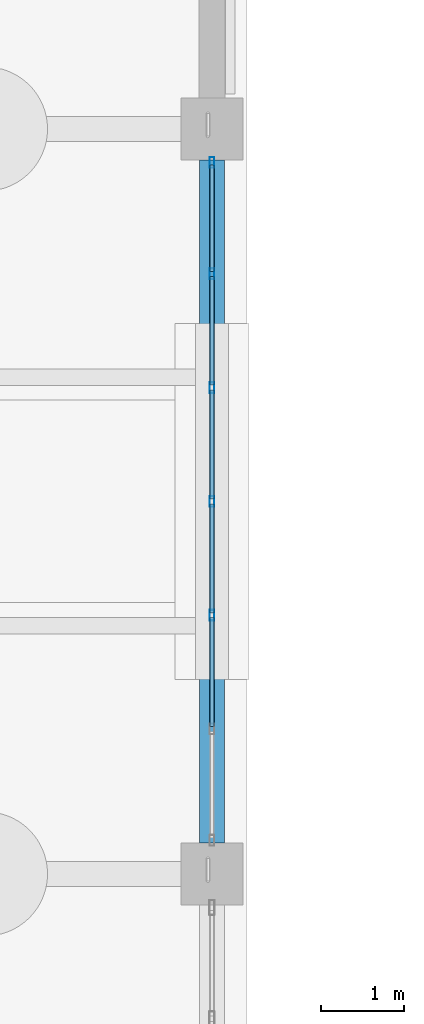
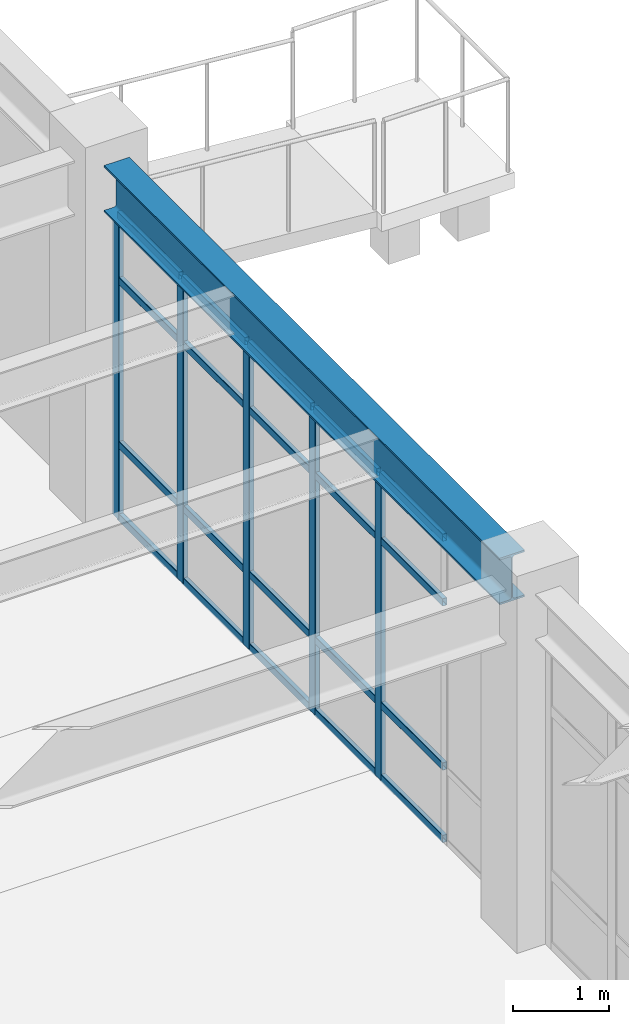
# One storey, part 56 of 139: 25 members, 1 beam, 1 element without a shape of its own.
"""IFC4 building model written with IfcOpenShell, lengths in metres."""

from ifc_helpers import new_model, si_unit, direction, frame, origin, origin_2d, place, context, subcontext, project, spatial, hollow_rectangle, i_section, extrude, material, material_profile, profile_set, type_object, element, aggregate, save


model = new_model("IFC4")

# Units and contexts
model_context = context("Model", 3, precision=1e-05, world=origin(), true_north=direction((0.0, 1.0)))
body_context = subcontext(model_context, "Body", "Model", "MODEL_VIEW")
ifc_project = project(units=[si_unit("LENGTHUNIT", "METRE"), si_unit("AREAUNIT", "SQUARE_METRE"), si_unit("VOLUMEUNIT", "CUBIC_METRE"), si_unit("PLANEANGLEUNIT", "RADIAN"), si_unit("MASSUNIT", "GRAM", prefix="KILO")], contexts=[model_context])

# Site, building, storey
site_placement = place(None, origin())
site = spatial("IfcSite", under=ifc_project, at=site_placement, CompositionType="ELEMENT")
building_placement = place(site_placement, origin())
building = spatial("IfcBuilding", under=site, at=building_placement, Name="Canglan Escarpment Cableway Terminal", CompositionType="ELEMENT")
storey_placement = place(building_placement, frame((0.0, 0.0, 14.39990234375)))
storey = spatial("IfcBuildingStorey", under=building, at=storey_placement, Name="L03", CompositionType="ELEMENT", Elevation=14.39990234375)

# Beam
ifc_material_1 = material(Name="Steel Q355C", Category="steel")
ifc_material_profile_1 = material_profile(ifc_material_1, i_section(OverallWidth=0.302001953125, OverallDepth=0.593994140625, WebThickness=0.013916015625, FlangeThickness=0.02294921875, FilletRadius=0.028076171875, at=origin_2d()), Name="HM 594x302x14x23")
ifc_profile_set_1 = profile_set([ifc_material_profile_1], Name="Steel Q355C")
beam_type = type_object("IfcBeamType", Name="BM-HM594", PredefinedType="BEAM", material=ifc_profile_set_1)
beam_placement = place(storey_placement, frame((166.39990234375, 61.375, 4.203125), z_axis=(0.0, 1.0, 0.0), x_axis=(-1.0, 0.0, 0.0)))
element("IfcBeam", 1, at=beam_placement, inside=storey, type_object=beam_type, Name="Primary transverse girder B-07", PredefinedType="BEAM", context=body_context, shape_type="SweptSolid", body=[
    extrude(i_section(OverallWidth=0.302001953125, OverallDepth=0.593994140625, WebThickness=0.013916015625, FlangeThickness=0.02294921875, FilletRadius=0.028076171875, at=origin_2d()), origin(), (0.0, 0.0, 1.0), 8.25),
])

# Curtain wall, members
ifc_material_2 = material(Name="Anodized bronze aluminium and Low-E double glazing", Category="aluminium")
curtain_wall_type = type_object("IfcCurtainWallType", Name="CW-BAY-8250x3900", PredefinedType="NOTDEFINED", material=ifc_material_2)
curtain_wall_placement = place(storey_placement, origin())
curtain_wall = element("IfcCurtainWall", 2, at=curtain_wall_placement, inside=storey, type_object=curtain_wall_type, Name="Classical bay-between-piers glazed curtain wall CW-62", PredefinedType="NOTDEFINED")
ifc_material_3 = material(Name="Thermally broken anodized aluminium 6063-T6", Category="aluminium")
ifc_material_profile_2 = material_profile(ifc_material_3, hollow_rectangle(XDim=0.06005859375, YDim=0.1298828125, WallThickness=0.0029296875, InnerFilletRadius=0.0029296875, OuterFilletRadius=0.006103515625, at=origin_2d()), Name="ALU-MULL 60x130x3")
ifc_profile_set_2 = profile_set([ifc_material_profile_2], Name="Thermally broken anodized aluminium 6063-T6")
member_type_1 = type_object("IfcMemberType", Name="CWM-01", PredefinedType="MULLION", material=ifc_profile_set_2)
member_1_placement = place(storey_placement, frame((166.39990234375, 64.125, 0.0), z_axis=(0.0, 0.0, 1.0), x_axis=(-1.0, 0.0, 0.0)))
member_1 = element("IfcMember", 3, at=member_1_placement, type_object=member_type_1, Name="CW-62 mullion 3", PredefinedType="MULLION", context=body_context, shape_type="SweptSolid", body=[
    extrude(hollow_rectangle(XDim=0.06005859375, YDim=0.1298828125, WallThickness=0.0029296875, InnerFilletRadius=0.0029296875, OuterFilletRadius=0.006103515625, at=origin_2d()), origin(), (0.0, 0.0, 1.0), 3.89111328125),
])
member_2_placement = place(storey_placement, frame((166.39990234375, 65.5, 0.0), z_axis=(0.0, 0.0, 1.0), x_axis=(-1.0, 0.0, 0.0)))
member_2 = element("IfcMember", 4, at=member_2_placement, type_object=member_type_1, Name="CW-62 mullion 4", PredefinedType="MULLION", context=body_context, shape_type="SweptSolid", body=[
    extrude(hollow_rectangle(XDim=0.06005859375, YDim=0.1298828125, WallThickness=0.0029296875, InnerFilletRadius=0.0029296875, OuterFilletRadius=0.006103515625, at=origin_2d()), origin(), (0.0, 0.0, 1.0), 3.89111328125),
])
member_3_placement = place(storey_placement, frame((166.39990234375, 66.875, 0.0), z_axis=(0.0, 0.0, 1.0), x_axis=(-1.0, 0.0, 0.0)))
member_3 = element("IfcMember", 5, at=member_3_placement, type_object=member_type_1, Name="CW-62 mullion 5", PredefinedType="MULLION", context=body_context, shape_type="SweptSolid", body=[
    extrude(hollow_rectangle(XDim=0.06005859375, YDim=0.1298828125, WallThickness=0.0029296875, InnerFilletRadius=0.0029296875, OuterFilletRadius=0.006103515625, at=origin_2d()), origin(), (0.0, 0.0, 1.0), 3.89111328125),
])
member_4_placement = place(storey_placement, frame((166.39990234375, 68.25, 0.0), z_axis=(0.0, 0.0, 1.0), x_axis=(-1.0, 0.0, 0.0)))
member_4 = element("IfcMember", 6, at=member_4_placement, type_object=member_type_1, Name="CW-62 mullion 6", PredefinedType="MULLION", context=body_context, shape_type="SweptSolid", body=[
    extrude(hollow_rectangle(XDim=0.06005859375, YDim=0.1298828125, WallThickness=0.0029296875, InnerFilletRadius=0.0029296875, OuterFilletRadius=0.006103515625, at=origin_2d()), origin(), (0.0, 0.0, 1.0), 3.89111328125),
])
member_5_placement = place(storey_placement, frame((166.39990234375, 69.594970703125, 0.0), z_axis=(0.0, 0.0, 1.0), x_axis=(-1.0, 0.0, 0.0)))
member_5 = element("IfcMember", 7, at=member_5_placement, type_object=member_type_1, Name="CW-62 mullion 7", PredefinedType="MULLION", context=body_context, shape_type="SweptSolid", body=[
    extrude(hollow_rectangle(XDim=0.06005859375, YDim=0.1298828125, WallThickness=0.0029296875, InnerFilletRadius=0.0029296875, OuterFilletRadius=0.006103515625, at=origin_2d()), origin(), (0.0, 0.0, 1.0), 3.89111328125),
])
ifc_material_profile_3 = material_profile(ifc_material_3, hollow_rectangle(XDim=0.054931640625, YDim=0.094970703125, WallThickness=0.0029296875, InnerFilletRadius=0.0029296875, OuterFilletRadius=0.006103515625, at=origin_2d()), Name="ALU-TRAN 55x95x3")
ifc_profile_set_3 = profile_set([ifc_material_profile_3], Name="Thermally broken anodized aluminium 6063-T6")
member_type_2 = type_object("IfcMemberType", Name="CWT-01", PredefinedType="USERDEFINED", material=ifc_profile_set_3)
member_6_placement = place(storey_placement, frame((166.39990234375, 62.780029296875, 0.027587890625), z_axis=(0.0, 1.0, 0.0), x_axis=(-1.0, 0.0, 0.0)))
member_6 = element("IfcMember", 8, at=member_6_placement, type_object=member_type_2, Name="CW-62 transom 2.1", ObjectType="TRANSOM", PredefinedType="USERDEFINED", context=body_context, shape_type="SweptSolid", body=[
    extrude(hollow_rectangle(XDim=0.054931640625, YDim=0.094970703125, WallThickness=0.0029296875, InnerFilletRadius=0.0029296875, OuterFilletRadius=0.006103515625, at=origin_2d()), origin(), (0.0, 0.0, 1.0), 1.31494140625),
])
member_7_placement = place(storey_placement, frame((166.39990234375, 62.780029296875, 0.9501953125), z_axis=(0.0, 1.0, 0.0), x_axis=(-1.0, 0.0, 0.0)))
member_7 = element("IfcMember", 9, at=member_7_placement, type_object=member_type_2, Name="CW-62 transom 2.2", ObjectType="TRANSOM", PredefinedType="USERDEFINED", context=body_context, shape_type="SweptSolid", body=[
    extrude(hollow_rectangle(XDim=0.054931640625, YDim=0.094970703125, WallThickness=0.0029296875, InnerFilletRadius=0.0029296875, OuterFilletRadius=0.006103515625, at=origin_2d()), origin(), (0.0, 0.0, 1.0), 1.31494140625),
])
member_8_placement = place(storey_placement, frame((166.39990234375, 62.780029296875, 3.041015625), z_axis=(0.0, 1.0, 0.0), x_axis=(-1.0, 0.0, 0.0)))
member_8 = element("IfcMember", 10, at=member_8_placement, type_object=member_type_2, Name="CW-62 transom 2.3", ObjectType="TRANSOM", PredefinedType="USERDEFINED", context=body_context, shape_type="SweptSolid", body=[
    extrude(hollow_rectangle(XDim=0.054931640625, YDim=0.094970703125, WallThickness=0.0029296875, InnerFilletRadius=0.0029296875, OuterFilletRadius=0.006103515625, at=origin_2d()), origin(), (0.0, 0.0, 1.0), 1.31494140625),
])
member_9_placement = place(storey_placement, frame((166.39990234375, 62.780029296875, 3.863525390625), z_axis=(0.0, 1.0, 0.0), x_axis=(-1.0, 0.0, 0.0)))
member_9 = element("IfcMember", 11, at=member_9_placement, type_object=member_type_2, Name="CW-62 transom 2.4", ObjectType="TRANSOM", PredefinedType="USERDEFINED", context=body_context, shape_type="SweptSolid", body=[
    extrude(hollow_rectangle(XDim=0.054931640625, YDim=0.094970703125, WallThickness=0.0029296875, InnerFilletRadius=0.0029296875, OuterFilletRadius=0.006103515625, at=origin_2d()), origin(), (0.0, 0.0, 1.0), 1.31494140625),
])
member_10_placement = place(storey_placement, frame((166.39990234375, 64.155029296875, 0.027587890625), z_axis=(0.0, 1.0, 0.0), x_axis=(-1.0, 0.0, 0.0)))
member_10 = element("IfcMember", 12, at=member_10_placement, type_object=member_type_2, Name="CW-62 transom 3.1", ObjectType="TRANSOM", PredefinedType="USERDEFINED", context=body_context, shape_type="SweptSolid", body=[
    extrude(hollow_rectangle(XDim=0.054931640625, YDim=0.094970703125, WallThickness=0.0029296875, InnerFilletRadius=0.0029296875, OuterFilletRadius=0.006103515625, at=origin_2d()), origin(), (0.0, 0.0, 1.0), 1.31494140625),
])
member_11_placement = place(storey_placement, frame((166.39990234375, 64.155029296875, 0.9501953125), z_axis=(0.0, 1.0, 0.0), x_axis=(-1.0, 0.0, 0.0)))
member_11 = element("IfcMember", 13, at=member_11_placement, type_object=member_type_2, Name="CW-62 transom 3.2", ObjectType="TRANSOM", PredefinedType="USERDEFINED", context=body_context, shape_type="SweptSolid", body=[
    extrude(hollow_rectangle(XDim=0.054931640625, YDim=0.094970703125, WallThickness=0.0029296875, InnerFilletRadius=0.0029296875, OuterFilletRadius=0.006103515625, at=origin_2d()), origin(), (0.0, 0.0, 1.0), 1.31494140625),
])
member_12_placement = place(storey_placement, frame((166.39990234375, 64.155029296875, 3.041015625), z_axis=(0.0, 1.0, 0.0), x_axis=(-1.0, 0.0, 0.0)))
member_12 = element("IfcMember", 14, at=member_12_placement, type_object=member_type_2, Name="CW-62 transom 3.3", ObjectType="TRANSOM", PredefinedType="USERDEFINED", context=body_context, shape_type="SweptSolid", body=[
    extrude(hollow_rectangle(XDim=0.054931640625, YDim=0.094970703125, WallThickness=0.0029296875, InnerFilletRadius=0.0029296875, OuterFilletRadius=0.006103515625, at=origin_2d()), origin(), (0.0, 0.0, 1.0), 1.31494140625),
])
member_13_placement = place(storey_placement, frame((166.39990234375, 64.155029296875, 3.863525390625), z_axis=(0.0, 1.0, 0.0), x_axis=(-1.0, 0.0, 0.0)))
member_13 = element("IfcMember", 15, at=member_13_placement, type_object=member_type_2, Name="CW-62 transom 3.4", ObjectType="TRANSOM", PredefinedType="USERDEFINED", context=body_context, shape_type="SweptSolid", body=[
    extrude(hollow_rectangle(XDim=0.054931640625, YDim=0.094970703125, WallThickness=0.0029296875, InnerFilletRadius=0.0029296875, OuterFilletRadius=0.006103515625, at=origin_2d()), origin(), (0.0, 0.0, 1.0), 1.31494140625),
])
member_14_placement = place(storey_placement, frame((166.39990234375, 65.530029296875, 0.027587890625), z_axis=(0.0, 1.0, 0.0), x_axis=(-1.0, 0.0, 0.0)))
member_14 = element("IfcMember", 16, at=member_14_placement, type_object=member_type_2, Name="CW-62 transom 4.1", ObjectType="TRANSOM", PredefinedType="USERDEFINED", context=body_context, shape_type="SweptSolid", body=[
    extrude(hollow_rectangle(XDim=0.054931640625, YDim=0.094970703125, WallThickness=0.0029296875, InnerFilletRadius=0.0029296875, OuterFilletRadius=0.006103515625, at=origin_2d()), origin(), (0.0, 0.0, 1.0), 1.31494140625),
])
member_15_placement = place(storey_placement, frame((166.39990234375, 65.530029296875, 0.9501953125), z_axis=(0.0, 1.0, 0.0), x_axis=(-1.0, 0.0, 0.0)))
member_15 = element("IfcMember", 17, at=member_15_placement, type_object=member_type_2, Name="CW-62 transom 4.2", ObjectType="TRANSOM", PredefinedType="USERDEFINED", context=body_context, shape_type="SweptSolid", body=[
    extrude(hollow_rectangle(XDim=0.054931640625, YDim=0.094970703125, WallThickness=0.0029296875, InnerFilletRadius=0.0029296875, OuterFilletRadius=0.006103515625, at=origin_2d()), origin(), (0.0, 0.0, 1.0), 1.31494140625),
])
member_16_placement = place(storey_placement, frame((166.39990234375, 65.530029296875, 3.041015625), z_axis=(0.0, 1.0, 0.0), x_axis=(-1.0, 0.0, 0.0)))
member_16 = element("IfcMember", 18, at=member_16_placement, type_object=member_type_2, Name="CW-62 transom 4.3", ObjectType="TRANSOM", PredefinedType="USERDEFINED", context=body_context, shape_type="SweptSolid", body=[
    extrude(hollow_rectangle(XDim=0.054931640625, YDim=0.094970703125, WallThickness=0.0029296875, InnerFilletRadius=0.0029296875, OuterFilletRadius=0.006103515625, at=origin_2d()), origin(), (0.0, 0.0, 1.0), 1.31494140625),
])
member_17_placement = place(storey_placement, frame((166.39990234375, 65.530029296875, 3.863525390625), z_axis=(0.0, 1.0, 0.0), x_axis=(-1.0, 0.0, 0.0)))
member_17 = element("IfcMember", 19, at=member_17_placement, type_object=member_type_2, Name="CW-62 transom 4.4", ObjectType="TRANSOM", PredefinedType="USERDEFINED", context=body_context, shape_type="SweptSolid", body=[
    extrude(hollow_rectangle(XDim=0.054931640625, YDim=0.094970703125, WallThickness=0.0029296875, InnerFilletRadius=0.0029296875, OuterFilletRadius=0.006103515625, at=origin_2d()), origin(), (0.0, 0.0, 1.0), 1.31494140625),
])
member_18_placement = place(storey_placement, frame((166.39990234375, 66.905029296875, 0.027587890625), z_axis=(0.0, 1.0, 0.0), x_axis=(-1.0, 0.0, 0.0)))
member_18 = element("IfcMember", 20, at=member_18_placement, type_object=member_type_2, Name="CW-62 transom 5.1", ObjectType="TRANSOM", PredefinedType="USERDEFINED", context=body_context, shape_type="SweptSolid", body=[
    extrude(hollow_rectangle(XDim=0.054931640625, YDim=0.094970703125, WallThickness=0.0029296875, InnerFilletRadius=0.0029296875, OuterFilletRadius=0.006103515625, at=origin_2d()), origin(), (0.0, 0.0, 1.0), 1.31494140625),
])
member_19_placement = place(storey_placement, frame((166.39990234375, 66.905029296875, 0.9501953125), z_axis=(0.0, 1.0, 0.0), x_axis=(-1.0, 0.0, 0.0)))
member_19 = element("IfcMember", 21, at=member_19_placement, type_object=member_type_2, Name="CW-62 transom 5.2", ObjectType="TRANSOM", PredefinedType="USERDEFINED", context=body_context, shape_type="SweptSolid", body=[
    extrude(hollow_rectangle(XDim=0.054931640625, YDim=0.094970703125, WallThickness=0.0029296875, InnerFilletRadius=0.0029296875, OuterFilletRadius=0.006103515625, at=origin_2d()), origin(), (0.0, 0.0, 1.0), 1.31494140625),
])
member_20_placement = place(storey_placement, frame((166.39990234375, 66.905029296875, 3.041015625), z_axis=(0.0, 1.0, 0.0), x_axis=(-1.0, 0.0, 0.0)))
member_20 = element("IfcMember", 22, at=member_20_placement, type_object=member_type_2, Name="CW-62 transom 5.3", ObjectType="TRANSOM", PredefinedType="USERDEFINED", context=body_context, shape_type="SweptSolid", body=[
    extrude(hollow_rectangle(XDim=0.054931640625, YDim=0.094970703125, WallThickness=0.0029296875, InnerFilletRadius=0.0029296875, OuterFilletRadius=0.006103515625, at=origin_2d()), origin(), (0.0, 0.0, 1.0), 1.31494140625),
])
member_21_placement = place(storey_placement, frame((166.39990234375, 66.905029296875, 3.863525390625), z_axis=(0.0, 1.0, 0.0), x_axis=(-1.0, 0.0, 0.0)))
member_21 = element("IfcMember", 23, at=member_21_placement, type_object=member_type_2, Name="CW-62 transom 5.4", ObjectType="TRANSOM", PredefinedType="USERDEFINED", context=body_context, shape_type="SweptSolid", body=[
    extrude(hollow_rectangle(XDim=0.054931640625, YDim=0.094970703125, WallThickness=0.0029296875, InnerFilletRadius=0.0029296875, OuterFilletRadius=0.006103515625, at=origin_2d()), origin(), (0.0, 0.0, 1.0), 1.31494140625),
])
member_22_placement = place(storey_placement, frame((166.39990234375, 68.280029296875, 0.027587890625), z_axis=(0.0, 1.0, 0.0), x_axis=(-1.0, 0.0, 0.0)))
member_22 = element("IfcMember", 24, at=member_22_placement, type_object=member_type_2, Name="CW-62 transom 6.1", ObjectType="TRANSOM", PredefinedType="USERDEFINED", context=body_context, shape_type="SweptSolid", body=[
    extrude(hollow_rectangle(XDim=0.054931640625, YDim=0.094970703125, WallThickness=0.0029296875, InnerFilletRadius=0.0029296875, OuterFilletRadius=0.006103515625, at=origin_2d()), origin(), (0.0, 0.0, 1.0), 1.284912109375),
])
member_23_placement = place(storey_placement, frame((166.39990234375, 68.280029296875, 0.9501953125), z_axis=(0.0, 1.0, 0.0), x_axis=(-1.0, 0.0, 0.0)))
member_23 = element("IfcMember", 25, at=member_23_placement, type_object=member_type_2, Name="CW-62 transom 6.2", ObjectType="TRANSOM", PredefinedType="USERDEFINED", context=body_context, shape_type="SweptSolid", body=[
    extrude(hollow_rectangle(XDim=0.054931640625, YDim=0.094970703125, WallThickness=0.0029296875, InnerFilletRadius=0.0029296875, OuterFilletRadius=0.006103515625, at=origin_2d()), origin(), (0.0, 0.0, 1.0), 1.284912109375),
])
member_24_placement = place(storey_placement, frame((166.39990234375, 68.280029296875, 3.041015625), z_axis=(0.0, 1.0, 0.0), x_axis=(-1.0, 0.0, 0.0)))
member_24 = element("IfcMember", 26, at=member_24_placement, type_object=member_type_2, Name="CW-62 transom 6.3", ObjectType="TRANSOM", PredefinedType="USERDEFINED", context=body_context, shape_type="SweptSolid", body=[
    extrude(hollow_rectangle(XDim=0.054931640625, YDim=0.094970703125, WallThickness=0.0029296875, InnerFilletRadius=0.0029296875, OuterFilletRadius=0.006103515625, at=origin_2d()), origin(), (0.0, 0.0, 1.0), 1.284912109375),
])
member_25_placement = place(storey_placement, frame((166.39990234375, 68.280029296875, 3.863525390625), z_axis=(0.0, 1.0, 0.0), x_axis=(-1.0, 0.0, 0.0)))
member_25 = element("IfcMember", 27, at=member_25_placement, type_object=member_type_2, Name="CW-62 transom 6.4", ObjectType="TRANSOM", PredefinedType="USERDEFINED", context=body_context, shape_type="SweptSolid", body=[
    extrude(hollow_rectangle(XDim=0.054931640625, YDim=0.094970703125, WallThickness=0.0029296875, InnerFilletRadius=0.0029296875, OuterFilletRadius=0.006103515625, at=origin_2d()), origin(), (0.0, 0.0, 1.0), 1.284912109375),
])
aggregate(curtain_wall, [member_1, member_2, member_3, member_4, member_5, member_6, member_7, member_8, member_9, member_10, member_11, member_12, member_13, member_14, member_15, member_16, member_17, member_18, member_19, member_20, member_21, member_22, member_23, member_24, member_25])

save(model, "model.ifc")
